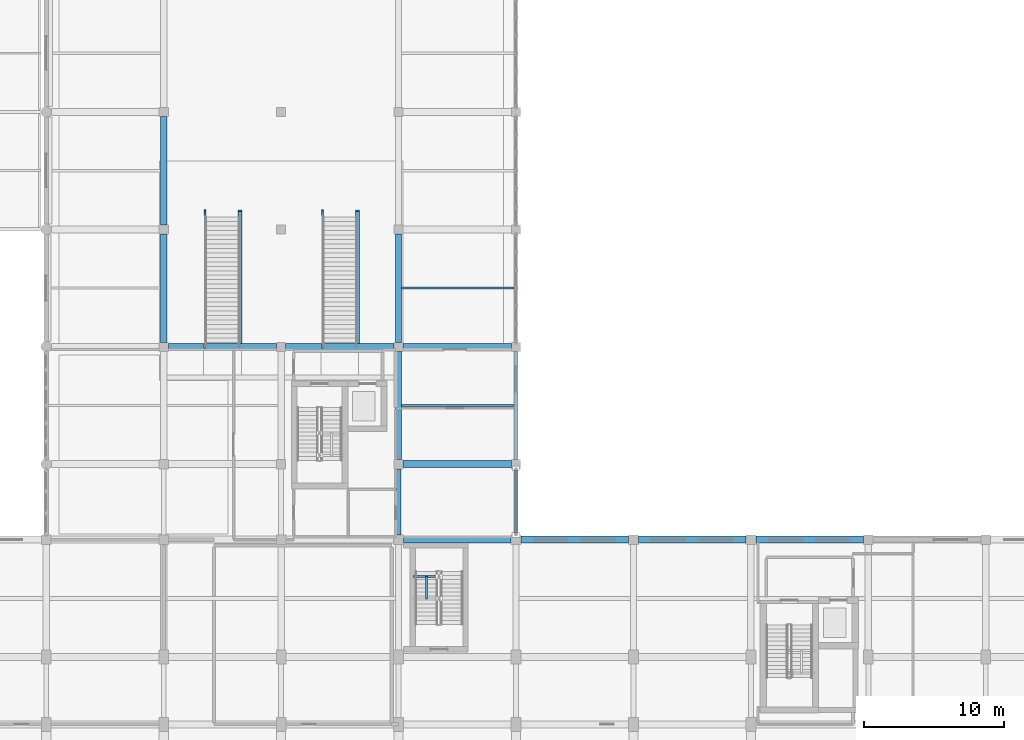
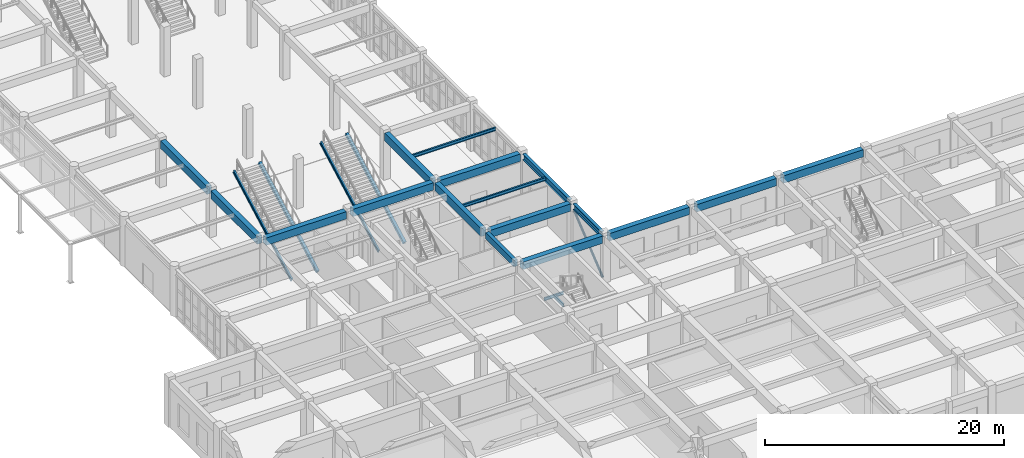
# One storey, part 21 of 80: 19 beams, 5 members.
"""IFC4 building model written with IfcOpenShell, lengths in metres."""

from ifc_helpers import new_model, si_unit, direction, frame, origin, origin_2d, place, context, subcontext, project, spatial, rectangle, hollow_circle, i_section, extrude, material, material_profile, profile_set, type_object, element, save


model = new_model("IFC4")

# Units and contexts
model_context = context("Model", 3, precision=1e-05, world=origin(), true_north=direction((0.0, 1.0)))
body_context = subcontext(model_context, "Body", "Model", "MODEL_VIEW")
ifc_project = project(units=[si_unit("LENGTHUNIT", "METRE"), si_unit("AREAUNIT", "SQUARE_METRE"), si_unit("VOLUMEUNIT", "CUBIC_METRE"), si_unit("PLANEANGLEUNIT", "RADIAN"), si_unit("MASSUNIT", "GRAM", prefix="KILO")], contexts=[model_context])

# Site, building, storey
site_placement = place(None, origin())
site = spatial("IfcSite", under=ifc_project, at=site_placement, CompositionType="ELEMENT")
building_placement = place(site_placement, origin())
building = spatial("IfcBuilding", under=site, at=building_placement, Name="Krzemoval Escarpment Law Courts", CompositionType="ELEMENT")
storey_placement = place(building_placement, origin())
storey = spatial("IfcBuildingStorey", under=building, at=storey_placement, Name="L00", CompositionType="ELEMENT", Elevation=0.0)

# Beams
ifc_material_1 = material(Name="Concrete C40/50", Category="concrete")
ifc_material_profile_1 = material_profile(ifc_material_1, rectangle(XDim=0.35009765625, YDim=0.64990234375, at=origin_2d()), Name="RCB 350x650")
ifc_profile_set_1 = profile_set([ifc_material_profile_1], Name="Concrete C40/50")
beam_type_1 = type_object("IfcBeamType", Name="BM-RC-350x650", PredefinedType="BEAM", material=ifc_profile_set_1)
beam_1_placement = place(storey_placement, frame((33.60009765625, 35.75, 4.4951171875), z_axis=(0.0, 1.0, 0.0), x_axis=(-1.0, 0.0, 0.0)))
element("IfcBeam", 1, at=beam_1_placement, inside=storey, type_object=beam_type_1, Name="Beam FG-L00-0866", PredefinedType="BEAM", context=body_context, shape_type="SweptSolid", body=[
    extrude(rectangle(XDim=0.35009765625, YDim=0.64990234375, at=origin_2d()), origin(), (0.0, 0.0, 1.0), 4.72509765625),
])
ifc_material_2 = material(Name="Concrete C40/50", Category="concrete")
ifc_material_profile_2 = material_profile(ifc_material_2, rectangle(XDim=0.449951171875, YDim=0.800048828125, at=origin_2d()), Name="RCB 450x800")
ifc_profile_set_2 = profile_set([ifc_material_profile_2], Name="Concrete C40/50")
beam_type_2 = type_object("IfcBeamType", Name="BM-RC-450x800", PredefinedType="BEAM", material=ifc_profile_set_2)
for number, where, z_axis, x_axis, name in (
    (2, (16.800048828125, 49.52490234375, 4.419921875), (0.0, 1.0, 0.0), (-1.0, 0.0, 0.0), "Beam FG-L00-0842"),
    (3, (16.800048828125, 57.925048828125, 4.419921875), (0.0, 1.0, 0.0), (-1.0, 0.0, 0.0), "Beam FG-L00-0843"),
    (4, (33.60009765625, 41.125, 4.419921875), (0.0, 1.0, 0.0), (-1.0, 0.0, 0.0), "Beam FG-L00-0867"),
    (5, (33.60009765625, 49.52490234375, 4.419921875), (0.0, 1.0, 0.0), (-1.0, 0.0, 0.0), "Beam FG-L00-0868"),
):
    element("IfcBeam", number, at=place(storey_placement, frame(where, z_axis=z_axis, x_axis=x_axis)), inside=storey, type_object=beam_type_2, Name=name, PredefinedType="BEAM", context=body_context, shape_type="SweptSolid", body=[
        extrude(rectangle(XDim=0.449951171875, YDim=0.800048828125, at=origin_2d()), origin(), (0.0, 0.0, 1.0), 7.75),
    ])
ifc_material_3 = material(Name="Concrete C40/50", Category="concrete")
ifc_material_profile_3 = material_profile(ifc_material_3, rectangle(XDim=0.5, YDim=0.75, at=origin_2d()), Name="RCB 500x750")
ifc_profile_set_3 = profile_set([ifc_material_profile_3], Name="Concrete C40/50")
beam_type_3 = type_object("IfcBeamType", Name="BM-RC-500x750", PredefinedType="BEAM", material=ifc_profile_set_3)
for number, where, z_axis, x_axis, name in (
    (6, (33.949951171875, 35.39990234375, 4.445068359375), (1.0, 0.0, 0.0), (0.0, 1.0, 0.0), "Beam FG-L00-0661"),
    (7, (42.35009765625, 35.39990234375, 4.445068359375), (1.0, 0.0, 0.0), (0.0, 1.0, 0.0), "Beam FG-L00-0662"),
    (8, (50.75, 35.39990234375, 4.445068359375), (1.0, 0.0, 0.0), (0.0, 1.0, 0.0), "Beam FG-L00-0663"),
):
    element("IfcBeam", number, at=place(storey_placement, frame(where, z_axis=z_axis, x_axis=x_axis)), inside=storey, type_object=beam_type_3, Name=name, PredefinedType="BEAM", context=body_context, shape_type="SweptSolid", body=[
        extrude(rectangle(XDim=0.5, YDim=0.75, at=origin_2d()), origin(), (0.0, 0.0, 1.0), 7.699951171875),
    ])
beam_2_placement = place(storey_placement, frame((59.14990234375, 35.39990234375, 4.445068359375), z_axis=(1.0, 0.0, 0.0), x_axis=(0.0, 1.0, 0.0)))
element("IfcBeam", 9, at=beam_2_placement, inside=storey, type_object=beam_type_3, Name="Beam FG-L00-0664", PredefinedType="BEAM", context=body_context, shape_type="SweptSolid", body=[
    extrude(rectangle(XDim=0.5, YDim=0.75, at=origin_2d()), origin(), (0.0, 0.0, 1.0), 7.7001953125),
])
for number, where, z_axis, x_axis, name in (
    (10, (33.925048828125, 40.800048828125, 4.445068359375), (1.0, 0.0, 0.0), (0.0, 1.0, 0.0), "Beam FG-L00-0677"),
    (11, (17.125, 49.199951171875, 4.445068359375), (1.0, 0.0, 0.0), (0.0, 1.0, 0.0), "Beam FG-L00-0688"),
    (12, (25.52490234375, 49.199951171875, 4.445068359375), (1.0, 0.0, 0.0), (0.0, 1.0, 0.0), "Beam FG-L00-0689"),
    (13, (33.925048828125, 49.199951171875, 4.445068359375), (1.0, 0.0, 0.0), (0.0, 1.0, 0.0), "Beam FG-L00-0690"),
):
    element("IfcBeam", number, at=place(storey_placement, frame(where, z_axis=z_axis, x_axis=x_axis)), inside=storey, type_object=beam_type_3, Name=name, PredefinedType="BEAM", context=body_context, shape_type="SweptSolid", body=[
        extrude(rectangle(XDim=0.5, YDim=0.75, at=origin_2d()), origin(), (0.0, 0.0, 1.0), 7.75),
    ])
ifc_material_4 = material(Name="Steel S355", Category="steel")
ifc_material_profile_4 = material_profile(ifc_material_4, i_section(OverallWidth=0.14990234375, OverallDepth=0.300048828125, WebThickness=0.007080078125, FlangeThickness=0.0107421875, at=origin_2d()), Name="IPE 300")
ifc_profile_set_4 = profile_set([ifc_material_profile_4], Name="Steel S355")
beam_type_4 = type_object("IfcBeamType", Name="JST-S355-IPE300", PredefinedType="JOIST", material=ifc_profile_set_4)
beam_3_placement = place(storey_placement, frame((36.5, 32.77001953125, 2.27001953125), z_axis=(-1.0, 0.0, 0.0), x_axis=(0.0, -1.0, 0.0)))
element("IfcBeam", 14, at=beam_3_placement, inside=storey, type_object=beam_type_4, Name="Stair Well Crosshead SLHW-C7-L00-1", PredefinedType="JOIST", context=body_context, shape_type="SweptSolid", body=[
    extrude(i_section(OverallWidth=0.14990234375, OverallDepth=0.300048828125, WebThickness=0.007080078125, FlangeThickness=0.0107421875, at=origin_2d()), origin(), (0.0, 0.0, 1.0), 1.860107421875),
])
beam_4_placement = place(storey_placement, frame((35.60009765625, 32.77001953125, 2.27001953125), z_axis=(0.0, -1.0, 0.0), x_axis=(1.0, 0.0, 0.0)))
element("IfcBeam", 15, at=beam_4_placement, inside=storey, type_object=beam_type_4, Name="Stair Flight Support Stringer SLTW-C7-L00", PredefinedType="JOIST", context=body_context, shape_type="SweptSolid", body=[
    extrude(i_section(OverallWidth=0.14990234375, OverallDepth=0.300048828125, WebThickness=0.007080078125, FlangeThickness=0.0107421875, at=origin_2d()), origin(), (0.0, 0.0, 1.0), 1.60009765625),
])
ifc_material_5 = material(Name="Steel S355", Category="steel")
ifc_material_profile_5 = material_profile(ifc_material_5, i_section(OverallWidth=0.159912109375, OverallDepth=0.330078125, WebThickness=0.007568359375, FlangeThickness=0.011474609375, at=origin_2d()), Name="IPE 330")
ifc_profile_set_5 = profile_set([ifc_material_profile_5], Name="Steel S355")
beam_type_5 = type_object("IfcBeamType", Name="JST-S355-IPE330", PredefinedType="JOIST", material=ifc_profile_set_5)
for number, where, z_axis, x_axis, name in (
    (16, (33.824951171875, 45.0, 4.655029296875), (1.0, 0.0, 0.0), (0.0, 1.0, 0.0), "Secondary Joist FJ-L00-1067"),
    (17, (33.824951171875, 53.39990234375, 4.655029296875), (1.0, 0.0, 0.0), (0.0, 1.0, 0.0), "Secondary Joist FJ-L00-1068"),
):
    element("IfcBeam", number, at=place(storey_placement, frame(where, z_axis=z_axis, x_axis=x_axis)), inside=storey, type_object=beam_type_5, Name=name, PredefinedType="JOIST", context=body_context, shape_type="SweptSolid", body=[
        extrude(i_section(OverallWidth=0.159912109375, OverallDepth=0.330078125, WebThickness=0.007568359375, FlangeThickness=0.011474609375, at=origin_2d()), origin(), (0.0, 0.0, 1.0), 8.025146484375),
    ])

# Members
ifc_material_6 = material(Name="Steel S355", Category="steel")
ifc_material_profile_6 = material_profile(ifc_material_6, hollow_circle(Radius=0.109619140625, WallThickness=0.010009765625, at=origin_2d()), Name="CHS 219.1x10")
ifc_profile_set_6 = profile_set([ifc_material_profile_6], Name="Steel S355")
member_type_1 = type_object("IfcMemberType", Name="MBR-BRC-CHS219", PredefinedType="BRACE", material=ifc_profile_set_6)
member_placement = place(storey_placement, frame((42.0, 35.72509765625, 0.139892578125), z_axis=(0.0, 0.774481037415, 0.6325971251), x_axis=(-1.0, 0.0, 0.0)))
element("IfcMember", 18, at=member_placement, inside=storey, type_object=member_type_1, Name="Lateral Diagonal Brace BR-0242", PredefinedType="BRACE", context=body_context, shape_type="SweptSolid", body=[
    extrude(hollow_circle(Radius=0.109619140625, WallThickness=0.010009765625, at=origin_2d()), origin(), (0.0, 0.0, 1.0), 6.165283203125),
])
ifc_material_7 = material(Name="Steel S355", Category="steel")
ifc_material_profile_7 = material_profile(ifc_material_7, i_section(OverallWidth=0.280029296875, OverallDepth=0.280029296875, WebThickness=0.010498046875, FlangeThickness=0.01806640625, at=origin_2d()), Name="HEB 280")
ifc_profile_set_7 = profile_set([ifc_material_profile_7], Name="Steel S355")
member_type_2 = type_object("IfcMemberType", Name="MBR-STG-HEB280", PredefinedType="STRINGER", material=ifc_profile_set_7)
for number, where, z_axis, x_axis, name in (
    (19, (22.25, 49.199951171875, -0.550048828125), (0.0, 0.879306595946, 0.476256139411), (-1.0, 0.0, 0.0), "Stair Stringer STG-0262"),
    (20, (30.64990234375, 49.199951171875, -0.550048828125), (0.0, 0.879306595946, 0.476256139411), (-1.0, 0.0, 0.0), "Stair Stringer STG-0266"),
):
    element("IfcMember", number, at=place(storey_placement, frame(where, z_axis=z_axis, x_axis=x_axis)), inside=storey, type_object=member_type_2, Name=name, PredefinedType="STRINGER", context=body_context, shape_type="SweptSolid", body=[
        extrude(i_section(OverallWidth=0.280029296875, OverallDepth=0.280029296875, WebThickness=0.010498046875, FlangeThickness=0.01806640625, at=origin_2d()), origin(), (0.0, 0.0, 1.0), 11.0654296875),
    ])
ifc_material_8 = material(Name="Steel S355", Category="steel")
ifc_material_profile_8 = material_profile(ifc_material_8, i_section(OverallWidth=0.159912109375, OverallDepth=0.330078125, WebThickness=0.007568359375, FlangeThickness=0.011474609375, at=origin_2d()), Name="IPE 330")
ifc_profile_set_8 = profile_set([ifc_material_profile_8], Name="Steel S355")
member_type_3 = type_object("IfcMemberType", Name="MBR-STG-IPE330", PredefinedType="STRINGER", material=ifc_profile_set_8)
for number, where, z_axis, x_axis, name in (
    (21, (19.75, 49.199951171875, -0.550048828125), (0.0, 0.879306595946, 0.476256139411), (-1.0, 0.0, 0.0), "Stair Stringer STG-0261"),
    (22, (28.14990234375, 49.199951171875, -0.550048828125), (0.0, 0.879306595946, 0.476256139411), (-1.0, 0.0, 0.0), "Stair Stringer STG-0265"),
):
    element("IfcMember", number, at=place(storey_placement, frame(where, z_axis=z_axis, x_axis=x_axis)), inside=storey, type_object=member_type_3, Name=name, PredefinedType="STRINGER", context=body_context, shape_type="SweptSolid", body=[
        extrude(i_section(OverallWidth=0.159912109375, OverallDepth=0.330078125, WebThickness=0.007568359375, FlangeThickness=0.011474609375, at=origin_2d()), origin(), (0.0, 0.0, 1.0), 11.0654296875),
    ])

# Beams
ifc_material_9 = material(Name="Steel S355", Category="steel")
ifc_material_profile_9 = material_profile(ifc_material_9, i_section(OverallWidth=0.300048828125, OverallDepth=0.60009765625, WebThickness=0.015380859375, FlangeThickness=0.030029296875, at=origin_2d()), Name="HEB 600")
ifc_profile_set_9 = profile_set([ifc_material_profile_9], Name="Steel S355")
beam_type_6 = type_object("IfcBeamType", Name="SPN-S355-HEB600", PredefinedType="SPANDREL", material=ifc_profile_set_9)
beam_5_placement = place(storey_placement, frame((42.0, 35.75, 4.52001953125), z_axis=(0.0, 1.0, 0.0), x_axis=(-1.0, 0.0, 0.0)))
element("IfcBeam", 23, at=beam_5_placement, inside=storey, type_object=beam_type_6, Name="Beam FG-L00-0882", PredefinedType="SPANDREL", context=body_context, shape_type="SweptSolid", body=[
    extrude(i_section(OverallWidth=0.300048828125, OverallDepth=0.60009765625, WebThickness=0.015380859375, FlangeThickness=0.030029296875, at=origin_2d()), origin(), (0.0, 0.0, 1.0), 4.72509765625),
])
beam_6_placement = place(storey_placement, frame((42.0, 41.125, 4.52001953125), z_axis=(0.0, 1.0, 0.0), x_axis=(-1.0, 0.0, 0.0)))
element("IfcBeam", 24, at=beam_6_placement, inside=storey, type_object=beam_type_6, Name="Beam FG-L00-0883", PredefinedType="SPANDREL", context=body_context, shape_type="SweptSolid", body=[
    extrude(i_section(OverallWidth=0.300048828125, OverallDepth=0.60009765625, WebThickness=0.015380859375, FlangeThickness=0.030029296875, at=origin_2d()), origin(), (0.0, 0.0, 1.0), 7.75),
])

save(model, "model.ifc")
